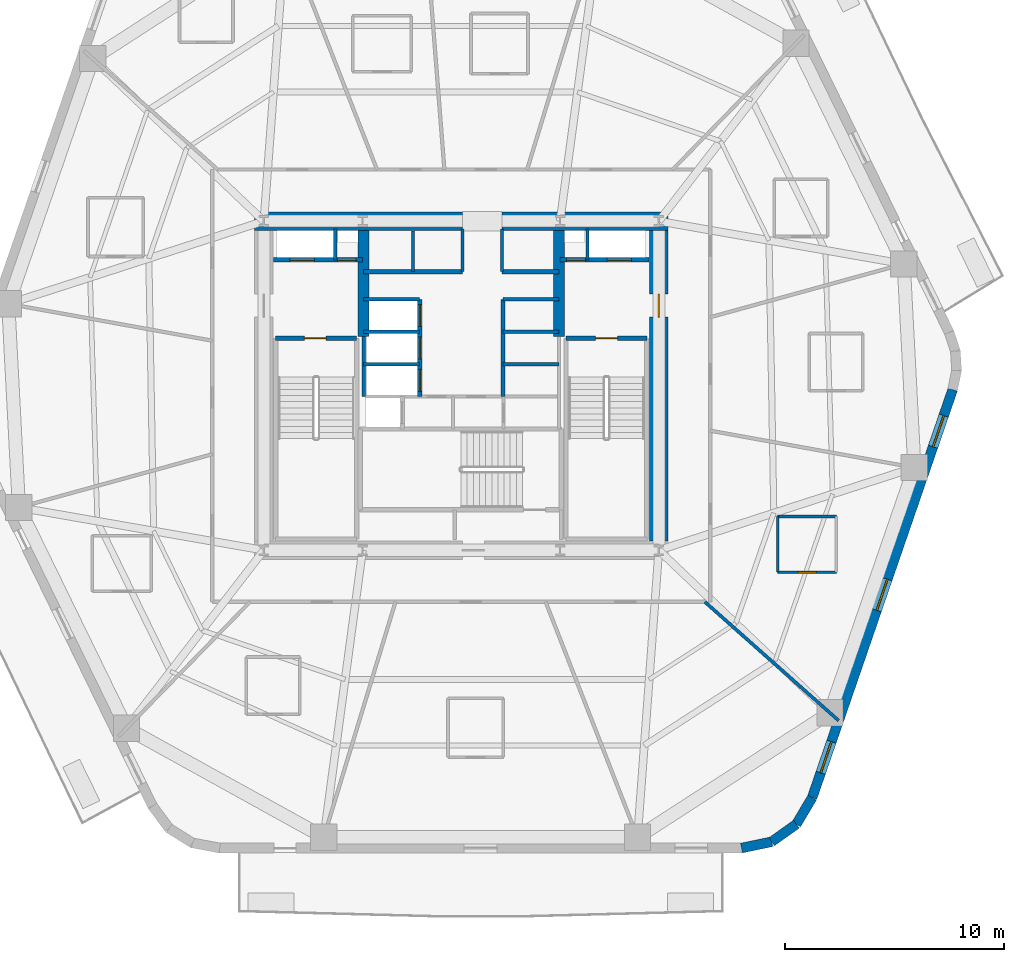
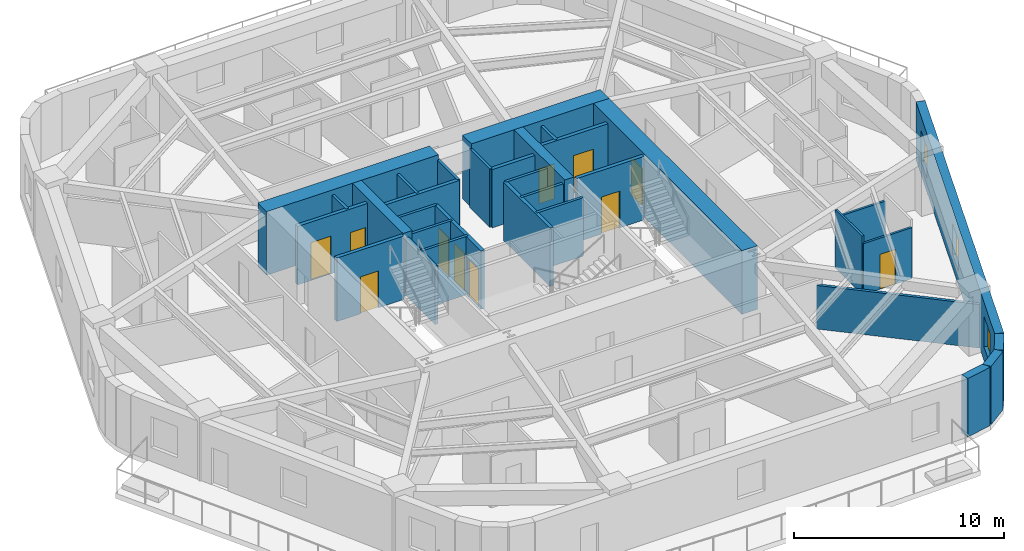
# One storey, part 4 of 9: 33 walls, 11 doors, 3 windows, 14 openings.
"""IFC4 building model written with IfcOpenShell, lengths in metres."""

from ifc_helpers import new_model, si_unit, direction, frame, frame_2d, origin, place, context, subcontext, project, spatial, rectangle, extrude, material, layer, layer_set, type_object, element, fill, save


model = new_model("IFC4")

# Units and contexts
model_context = context("Model", 3, precision=1e-05, world=origin(), true_north=direction((0.0, 1.0)))
body_context = subcontext(model_context, "Body", "Model", "MODEL_VIEW")
ifc_project = project(units=[si_unit("LENGTHUNIT", "METRE"), si_unit("AREAUNIT", "SQUARE_METRE"), si_unit("VOLUMEUNIT", "CUBIC_METRE"), si_unit("PLANEANGLEUNIT", "RADIAN"), si_unit("MASSUNIT", "GRAM", prefix="KILO")], contexts=[model_context])

# Site, building, storey
site_placement = place(None, origin())
site = spatial("IfcSite", under=ifc_project, at=site_placement, CompositionType="ELEMENT")
building_placement = place(site_placement, origin())
building = spatial("IfcBuilding", under=site, at=building_placement, Name="Kilnhurst Terrace Hotel", CompositionType="ELEMENT")
storey_placement = place(building_placement, frame((0.0, 0.0, 128.39990234375)))
storey = spatial("IfcBuildingStorey", under=building, at=storey_placement, Name="L31", CompositionType="ELEMENT", Elevation=128.39990234375)

# Walls
ifc_material_1 = material(Name="Precast concrete C40/50", Category="concrete")
ifc_layer_1 = layer(ifc_material_1, 0.449951171875, Name="Precast concrete C40/50")
ifc_layer_set_1 = layer_set([ifc_layer_1], Name="Precast concrete C40/50")
wall_type_1 = type_object("IfcWallType", Name="WL-BRK-450", PredefinedType="SOLIDWALL", material=ifc_layer_set_1)
wall_1_placement = place(storey_placement, frame((12.7705078125, -21.074951171875, 0.0), z_axis=(0.0, 0.0, 1.0), x_axis=(0.97874281988, 0.205091424819, 0.0)))
element("IfcWall", 1, at=wall_1_placement, inside=storey, type_object=wall_type_1, Name="L31 Rounded Corner Brick Wall C2.1", PredefinedType="SOLIDWALL", context=body_context, shape_type="SweptSolid", body=[
    extrude(rectangle(XDim=1.40576171875, YDim=0.449951171875, at=frame_2d((0.702880859375, 0.0))), origin(), (0.0, 0.0, 1.0), 3.400146484375),
])
wall_2_placement = place(storey_placement, frame((14.146484375, -20.78662109375, 0.0), z_axis=(0.0, 0.0, 1.0), x_axis=(0.814162929117, 0.580636482536, 0.0)))
element("IfcWall", 2, at=wall_2_placement, inside=storey, type_object=wall_type_1, Name="L31 Rounded Corner Brick Wall C2.2", PredefinedType="SOLIDWALL", context=body_context, shape_type="SweptSolid", body=[
    extrude(rectangle(XDim=1.382080078125, YDim=0.449951171875, at=frame_2d((0.69091796875, 0.0))), origin(), (0.0, 0.0, 1.0), 3.400146484375),
])
wall_3_placement = place(storey_placement, frame((15.271728515625, -19.984130859375, 0.0), z_axis=(0.0, 0.0, 1.0), x_axis=(0.512579347361, 0.858639862025, 0.0)))
element("IfcWall", 3, at=wall_3_placement, inside=storey, type_object=wall_type_1, Name="L31 Rounded Corner Brick Wall C2.3", PredefinedType="SOLIDWALL", context=body_context, shape_type="SweptSolid", body=[
    extrude(rectangle(XDim=1.406005859375, YDim=0.449951171875, at=frame_2d((0.703125, 0.0))), origin(), (0.0, 0.0, 1.0), 3.400146484375),
])

# Wall, openings, windows
wall_4_placement = place(storey_placement, frame((15.992431640625, -18.77685546875, 0.0), z_axis=(0.0, 0.0, 1.0), x_axis=(0.325606988926, 0.945505202927, 0.0)))
wall_4 = element("IfcWall", 4, at=wall_4_placement, inside=storey, type_object=wall_type_1, Name="L31 Exterior Brick Facade Wall F2", PredefinedType="SOLIDWALL", context=body_context, shape_type="SweptSolid", body=[
    extrude(rectangle(XDim=19.66943359375, YDim=0.449951171875, at=frame_2d((9.834716796875, 0.0))), origin(), (0.0, 0.0, 1.0), 3.400146484375),
])
opening_1_placement = place(wall_4_placement, frame((1.197021484375, 0.0, 0.800048828125)))
opening_1 = element("IfcOpeningElement", 5, at=opening_1_placement, cuts=wall_4, Name="Opening W-02", PredefinedType="OPENING", context=body_context, shape_type="SweptSolid", body=[
    extrude(rectangle(XDim=1.5, YDim=1.800048828125, at=frame_2d((0.75, 0.89990234375))), frame((0.0, 0.23486328125, 0.0), z_axis=(0.0, -1.0, 0.0), x_axis=(1.0, 0.0, 0.0)), (0.0, 0.0, 1.0), 0.469970703125),
])
opening_2_placement = place(wall_4_placement, frame((9.030029296875, 0.0, 0.800048828125)))
opening_2 = element("IfcOpeningElement", 6, at=opening_2_placement, cuts=wall_4, Name="Opening W-02", PredefinedType="OPENING", context=body_context, shape_type="SweptSolid", body=[
    extrude(rectangle(XDim=1.5, YDim=1.800048828125, at=frame_2d((0.75, 0.89990234375))), frame((0.0, 0.23486328125, 0.0), z_axis=(0.0, -1.0, 0.0), x_axis=(1.0, 0.0, 0.0)), (0.0, 0.0, 1.0), 0.469970703125),
])
opening_3_placement = place(wall_4_placement, frame((16.91796875, 0.0, 0.800048828125)))
opening_3 = element("IfcOpeningElement", 7, at=opening_3_placement, cuts=wall_4, Name="Opening W-02", PredefinedType="OPENING", context=body_context, shape_type="SweptSolid", body=[
    extrude(rectangle(XDim=1.5, YDim=1.800048828125, at=frame_2d((0.75, 0.89990234375))), frame((0.0, 0.23486328125, 0.0), z_axis=(0.0, -1.0, 0.0), x_axis=(1.0, 0.0, 0.0)), (0.0, 0.0, 1.0), 0.469970703125),
])
ifc_material_2 = material(Name="Thermally Broken Bronze Aluminium Alloy 6063-T6 and Low-E Glass", Category="aluminium")
window_type = type_object("IfcWindowType", Name="WIN-1500X1800", PartitioningType="SINGLE_PANEL", PredefinedType="WINDOW", material=ifc_material_2)
window_1_placement = place(opening_1_placement, origin())
window_1 = element("IfcWindow", 8, at=window_1_placement, inside=storey, type_object=window_type, Name="L31 Deep-Set Masonry Window F2.1", OverallHeight=1.800048828125, OverallWidth=1.5, PartitioningType="SINGLE_PANEL", PredefinedType="WINDOW", context=body_context, shape_type="SweptSolid", body=[
    extrude(rectangle(XDim=1.5, YDim=1.800048828125, at=frame_2d((0.75, 0.89990234375))), frame((0.0, 0.030029296875, 0.0), z_axis=(0.0, -1.0, 0.0), x_axis=(1.0, 0.0, 0.0)), (0.0, 0.0, 1.0), 0.06005859375),
])
fill(opening_1, window_1)
window_2_placement = place(opening_2_placement, origin())
window_2 = element("IfcWindow", 9, at=window_2_placement, inside=storey, type_object=window_type, Name="L31 Deep-Set Masonry Window F2.2", OverallHeight=1.800048828125, OverallWidth=1.5, PartitioningType="SINGLE_PANEL", PredefinedType="WINDOW", context=body_context, shape_type="SweptSolid", body=[
    extrude(rectangle(XDim=1.5, YDim=1.800048828125, at=frame_2d((0.75, 0.89990234375))), frame((0.0, 0.030029296875, 0.0), z_axis=(0.0, -1.0, 0.0), x_axis=(1.0, 0.0, 0.0)), (0.0, 0.0, 1.0), 0.06005859375),
])
fill(opening_2, window_2)
window_3_placement = place(opening_3_placement, origin())
window_3 = element("IfcWindow", 10, at=window_3_placement, inside=storey, type_object=window_type, Name="L31 Deep-Set Masonry Window F2.3", OverallHeight=1.800048828125, OverallWidth=1.5, PartitioningType="SINGLE_PANEL", PredefinedType="WINDOW", context=body_context, shape_type="SweptSolid", body=[
    extrude(rectangle(XDim=1.5, YDim=1.800048828125, at=frame_2d((0.75, 0.89990234375))), frame((0.0, 0.030029296875, 0.0), z_axis=(0.0, -1.0, 0.0), x_axis=(1.0, 0.0, 0.0)), (0.0, 0.0, 1.0), 0.06005859375),
])
fill(opening_3, window_3)

# Walls
ifc_material_3 = material(Name="Concrete C80/95", Category="concrete")
ifc_layer_2 = layer(ifc_material_3, 0.85009765625, Name="Concrete C80/95")
ifc_layer_set_2 = layer_set([ifc_layer_2], Name="Concrete C80/95")
wall_type_2 = type_object("IfcWallType", Name="WL-CORE-850", PredefinedType="SHEAR", material=ifc_layer_set_2)
wall_5_placement = place(storey_placement, frame((-9.425048828125, 7.5, 0.0), z_axis=(0.0, 0.0, 1.0), x_axis=(1.0, 0.0, 0.0)))
element("IfcWall", 11, at=wall_5_placement, inside=storey, type_object=wall_type_2, Name="L31 Core North West Shear Wall", PredefinedType="SHEAR", context=body_context, shape_type="SweptSolid", body=[
    extrude(rectangle(XDim=9.47509765625, YDim=0.85009765625, at=frame_2d((4.737548828125, 0.0))), origin(), (0.0, 0.0, 1.0), 3.7001953125),
])
wall_6_placement = place(storey_placement, frame((1.85009765625, 7.5, 0.0), z_axis=(0.0, 0.0, 1.0), x_axis=(1.0, 0.0, 0.0)))
element("IfcWall", 12, at=wall_6_placement, inside=storey, type_object=wall_type_2, Name="L31 Core North East Shear Wall", PredefinedType="SHEAR", context=body_context, shape_type="SweptSolid", body=[
    extrude(rectangle(XDim=7.574951171875, YDim=0.85009765625, at=frame_2d((3.78759765625, 0.0))), origin(), (0.0, 0.0, 1.0), 3.7001953125),
])

# Wall, opening, door
wall_7_placement = place(storey_placement, frame((9.0, -7.074951171875, 0.0), z_axis=(0.0, 0.0, 1.0), x_axis=(0.0, 1.0, 0.0)))
wall_7 = element("IfcWall", 13, at=wall_7_placement, inside=storey, type_object=wall_type_2, Name="L31 Core East Shear Wall", PredefinedType="SHEAR", context=body_context, shape_type="SweptSolid", body=[
    extrude(rectangle(XDim=14.14990234375, YDim=0.85009765625, at=frame_2d((7.074951171875, 0.0))), origin(), (0.0, 0.0, 1.0), 3.7001953125),
])
opening_4_placement = place(wall_7_placement, frame((10.199951171875, 0.0, 0.0)))
opening_4 = element("IfcOpeningElement", 14, at=opening_4_placement, cuts=wall_7, Name="Opening D-90A", PredefinedType="OPENING", context=body_context, shape_type="SweptSolid", body=[
    extrude(rectangle(XDim=1.050048828125, YDim=2.14990234375, at=frame_2d((0.52490234375, 1.074951171875))), frame((0.0, 0.43505859375, 0.0), z_axis=(0.0, -1.0, 0.0), x_axis=(1.0, 0.0, 0.0)), (0.0, 0.0, 1.0), 0.8701171875),
])
ifc_material_4 = material(Name="Painted Hollow Metal Steel ASTM A36 Fire Door", Category="steel")
door_type_1 = type_object("IfcDoorType", Name="DR-FD90-1050", OperationType="NOTDEFINED", PredefinedType="DOOR", material=ifc_material_4)
door_1_placement = place(opening_4_placement, origin())
door_1 = element("IfcDoor", 15, at=door_1_placement, inside=storey, type_object=door_type_1, Name="L31 East Firefighting Lobby Door", OperationType="SINGLE_SWING_LEFT", OverallHeight=2.14990234375, OverallWidth=1.050048828125, PredefinedType="DOOR", context=body_context, shape_type="SweptSolid", body=[
    extrude(rectangle(XDim=1.050048828125, YDim=2.14990234375, at=frame_2d((0.52490234375, 1.074951171875))), frame((0.0, 0.02490234375, 0.0), z_axis=(0.0, -1.0, 0.0), x_axis=(1.0, 0.0, 0.0)), (0.0, 0.0, 1.0), 0.050048828125),
])
fill(opening_4, door_1)

# Walls
ifc_material_5 = material(Name="Concrete C60/75", Category="concrete")
ifc_layer_3 = layer(ifc_material_5, 0.5, Name="Concrete C60/75")
ifc_layer_set_3 = layer_set([ifc_layer_3], Name="Concrete C60/75")
wall_type_3 = type_object("IfcWallType", Name="WL-CORE-WEB-500", PredefinedType="SHEAR", material=ifc_layer_set_3)
for number, where, z_axis, x_axis, name in (
    (16, (-4.449951171875, 2.25, 0.0), (0.0, 0.0, 1.0), (0.0, 1.0, 0.0), "L31 Core Internal West Shear Web"),
    (17, (4.449951171875, 2.25, 0.0), (0.0, 0.0, 1.0), (0.0, 1.0, 0.0), "L31 Core Internal East Shear Web"),
):
    element("IfcWall", number, at=place(storey_placement, frame(where, z_axis=z_axis, x_axis=x_axis)), inside=storey, type_object=wall_type_3, Name=name, PredefinedType="SHEAR", context=body_context, shape_type="SweptSolid", body=[
        extrude(rectangle(XDim=4.824951171875, YDim=0.5, at=frame_2d((2.41259765625, 0.0))), origin(), (0.0, 0.0, 1.0), 3.7001953125),
    ])
ifc_material_6 = material(Name="STC-58 Acoustic Twin-Frame Guestroom Demising Partition")
ifc_layer_4 = layer(ifc_material_6, 0.14990234375, Name="STC-58 Acoustic Twin-Frame Guestroom Demising Partition")
ifc_layer_set_4 = layer_set([ifc_layer_4], Name="STC-58 Acoustic Twin-Frame Guestroom Demising Partition")
wall_type_4 = type_object("IfcWallType", Name="WL-DEM-150", PredefinedType="PARTITIONING", material=ifc_layer_set_4)
wall_8_placement = place(storey_placement, frame((11.097900390625, -9.85009765625, 0.0), z_axis=(0.0, 0.0, 1.0), x_axis=(0.747904295103, -0.663806572253, 0.0)))
element("IfcWall", 18, at=wall_8_placement, inside=storey, type_object=wall_type_4, Name="L31 Interior Wall WL-L31-DEM-COL11-12-1", PredefinedType="PARTITIONING", context=body_context, shape_type="SweptSolid", body=[
    extrude(rectangle(XDim=8.160400390625, YDim=0.14990234375, at=frame_2d((4.080078125, 0.0))), origin(), (0.0, 0.0, 1.0), 2.5400390625),
])

# Wall, opening, door
ifc_material_7 = material(Name="120 mm Moisture-Resistant Tile-Backed Bathroom Partition")
ifc_layer_5 = layer(ifc_material_7, 0.1201171875, Name="120 mm Moisture-Resistant Tile-Backed Bathroom Partition")
ifc_layer_set_5 = layer_set([ifc_layer_5], Name="120 mm Moisture-Resistant Tile-Backed Bathroom Partition")
wall_type_5 = type_object("IfcWallType", Name="WL-PART-120", PredefinedType="PARTITIONING", material=ifc_layer_set_5)
wall_9_placement = place(storey_placement, frame((14.4140625, -8.5, 0.0), z_axis=(0.0, 0.0, 1.0), x_axis=(1.0, 0.0, 0.0)))
wall_9 = element("IfcWall", 19, at=wall_9_placement, inside=storey, type_object=wall_type_5, Name="L31 Interior Wall WL-L31-BTH-12-1", PredefinedType="PARTITIONING", context=body_context, shape_type="SweptSolid", body=[
    extrude(rectangle(XDim=2.679931640625, YDim=0.1201171875, at=frame_2d((1.33984375, 0.0))), origin(), (0.0, 0.0, 1.0), 2.972412109375),
])
opening_5_placement = place(wall_9_placement, frame((0.9150390625, 0.0, 0.0)))
opening_5 = element("IfcOpeningElement", 20, at=opening_5_placement, cuts=wall_9, Name="Opening D-08A", PredefinedType="OPENING", context=body_context, shape_type="SweptSolid", body=[
    extrude(rectangle(XDim=0.85009765625, YDim=2.030029296875, at=frame_2d((0.425048828125, 1.01513671875))), frame((0.0, 0.070068359375, 0.0), z_axis=(0.0, -1.0, 0.0), x_axis=(1.0, 0.0, 0.0)), (0.0, 0.0, 1.0), 0.14013671875),
])
ifc_material_8 = material(Name="Moisture-Resistant Lacquered En-suite Bathroom Door")
door_type_2 = type_object("IfcDoorType", Name="DR-INT-850", OperationType="NOTDEFINED", PredefinedType="DOOR", material=ifc_material_8)
door_2_placement = place(opening_5_placement, origin())
door_2 = element("IfcDoor", 21, at=door_2_placement, inside=storey, type_object=door_type_2, Name="L31 En-suite Bathroom Door 12", OperationType="SINGLE_SWING_LEFT", OverallHeight=2.030029296875, OverallWidth=0.85009765625, PredefinedType="DOOR", context=body_context, shape_type="SweptSolid", body=[
    extrude(rectangle(XDim=0.85009765625, YDim=2.030029296875, at=frame_2d((0.425048828125, 1.01513671875))), frame((0.0, 0.02490234375, 0.0), z_axis=(0.0, -1.0, 0.0), x_axis=(1.0, 0.0, 0.0)), (0.0, 0.0, 1.0), 0.050048828125),
])
fill(opening_5, door_2)

# Walls
wall_10_placement = place(storey_placement, frame((17.093994140625, -5.9599609375, 0.0), z_axis=(0.0, 0.0, 1.0), x_axis=(-1.0, 0.0, 0.0)))
element("IfcWall", 22, at=wall_10_placement, inside=storey, type_object=wall_type_5, Name="L31 Interior Wall WL-L31-BTH-12-3", PredefinedType="PARTITIONING", context=body_context, shape_type="SweptSolid", body=[
    extrude(rectangle(XDim=2.679931640625, YDim=0.1201171875, at=frame_2d((1.33984375, 0.0))), origin(), (0.0, 0.0, 1.0), 2.972412109375),
])
wall_11_placement = place(storey_placement, frame((14.4140625, -5.9599609375, 0.0), z_axis=(0.0, 0.0, 1.0), x_axis=(0.0, -1.0, 0.0)))
element("IfcWall", 23, at=wall_11_placement, inside=storey, type_object=wall_type_5, Name="L31 Interior Wall WL-L31-BTH-12-4", PredefinedType="PARTITIONING", context=body_context, shape_type="SweptSolid", body=[
    extrude(rectangle(XDim=2.5400390625, YDim=0.1201171875, at=frame_2d((1.27001953125, 0.0))), origin(), (0.0, 0.0, 1.0), 3.400146484375),
])
ifc_material_9 = material(Name="Fire-Rated Gypsum Shaftliner Assembly")
ifc_layer_6 = layer(ifc_material_9, 0.14990234375, Name="Fire-Rated Gypsum Shaftliner Assembly")
ifc_layer_set_6 = layer_set([ifc_layer_6], Name="Fire-Rated Gypsum Shaftliner Assembly")
wall_type_6 = type_object("IfcWallType", Name="WL-SHAFT-150", PredefinedType="PARTITIONING", material=ifc_layer_set_6)
for number, where, z_axis, x_axis, name in (
    (24, (-5.75, 5.739990234375, 0.0), (0.0, 0.0, 1.0), (0.0, 1.0, 0.0), "L31 Interior Wall WL-L31-RIS1-DIV"),
    (25, (5.75, 5.739990234375, 0.0), (0.0, 0.0, 1.0), (0.0, 1.0, 0.0), "L31 Interior Wall WL-L31-RIS2-DIV"),
):
    element("IfcWall", number, at=place(storey_placement, frame(where, z_axis=z_axis, x_axis=x_axis)), inside=storey, type_object=wall_type_6, Name=name, PredefinedType="PARTITIONING", context=body_context, shape_type="SweptSolid", body=[
        extrude(rectangle(XDim=1.409912109375, YDim=0.14990234375, at=frame_2d((0.705078125, 0.0))), origin(), (0.0, 0.0, 1.0), 3.400146484375),
    ])
wall_12_placement = place(storey_placement, frame((-2.199951171875, 5.199951171875, 0.0), z_axis=(0.0, 0.0, 1.0), x_axis=(0.0, 1.0, 0.0)))
element("IfcWall", 26, at=wall_12_placement, inside=storey, type_object=wall_type_6, Name="L31 Interior Wall WL-L31-HR-DIV1", PredefinedType="PARTITIONING", context=body_context, shape_type="SweptSolid", body=[
    extrude(rectangle(XDim=1.85009765625, YDim=0.14990234375, at=frame_2d((0.925048828125, 0.0))), origin(), (0.0, 0.0, 1.0), 3.400146484375),
])
for number, where, z_axis, x_axis, name in (
    (27, (0.050048828125, 5.199951171875, 0.0), (0.0, 0.0, 1.0), (0.0, 1.0, 0.0), "L31 Interior Wall WL-L31-HR-PORTAL-W"),
    (28, (1.85009765625, 5.199951171875, 0.0), (0.0, 0.0, 1.0), (0.0, 1.0, 0.0), "L31 Interior Wall WL-L31-HR-PORTAL-E"),
):
    element("IfcWall", number, at=place(storey_placement, frame(where, z_axis=z_axis, x_axis=x_axis)), inside=storey, type_object=wall_type_6, Name=name, PredefinedType="PARTITIONING", context=body_context, shape_type="SweptSolid", body=[
        extrude(rectangle(XDim=1.949951171875, YDim=0.14990234375, at=frame_2d((0.97509765625, 0.0))), origin(), (0.0, 0.0, 1.0), 3.400146484375),
    ])
wall_13_placement = place(storey_placement, frame((-4.449951171875, -0.5, 0.0), z_axis=(0.0, 0.0, 1.0), x_axis=(0.0, 1.0, 0.0)))
element("IfcWall", 29, at=wall_13_placement, inside=storey, type_object=wall_type_6, Name="L31 Interior Wall WL-L31-XLOB-W", PredefinedType="PARTITIONING", context=body_context, shape_type="SweptSolid", body=[
    extrude(rectangle(XDim=2.75, YDim=0.14990234375, at=frame_2d((1.375, 0.0))), origin(), (0.0, 0.0, 1.0), 3.400146484375),
])
for number, where, z_axis, x_axis, name in (
    (30, (-4.449951171875, 3.93994140625, 0.0), (0.0, 0.0, 1.0), (1.0, 0.0, 0.0), "L31 Interior Wall WL-L31-LR-NORTH"),
    (31, (-4.449951171875, 0.97998046875, 0.0), (0.0, 0.0, 1.0), (1.0, 0.0, 0.0), "L31 Interior Wall WL-L31-LR-D1"),
    (32, (-4.449951171875, 2.4599609375, 0.0), (0.0, 0.0, 1.0), (1.0, 0.0, 0.0), "L31 Interior Wall WL-L31-LR-D2"),
    (33, (1.89990234375, 3.93994140625, 0.0), (0.0, 0.0, 1.0), (1.0, 0.0, 0.0), "L31 Interior Wall WL-L31-MR-NORTH"),
    (34, (1.89990234375, 0.97998046875, 0.0), (0.0, 0.0, 1.0), (1.0, 0.0, 0.0), "L31 Interior Wall WL-L31-MR-D1"),
    (35, (1.89990234375, 2.4599609375, 0.0), (0.0, 0.0, 1.0), (1.0, 0.0, 0.0), "L31 Interior Wall WL-L31-MR-D2"),
):
    element("IfcWall", number, at=place(storey_placement, frame(where, z_axis=z_axis, x_axis=x_axis)), inside=storey, type_object=wall_type_6, Name=name, PredefinedType="PARTITIONING", context=body_context, shape_type="SweptSolid", body=[
        extrude(rectangle(XDim=2.550048828125, YDim=0.14990234375, at=frame_2d((1.27490234375, 0.0))), origin(), (0.0, 0.0, 1.0), 3.400146484375),
    ])

# Wall, openings, doors
ifc_material_10 = material(Name="Autoclaved Aerated Concrete C30/37 and Gypsum Shaft Assembly", Category="concrete")
ifc_layer_7 = layer(ifc_material_10, 0.199951171875, Name="Autoclaved Aerated Concrete C30/37 and Gypsum Shaft Assembly")
ifc_layer_set_7 = layer_set([ifc_layer_7], Name="Autoclaved Aerated Concrete C30/37 and Gypsum Shaft Assembly")
wall_type_7 = type_object("IfcWallType", Name="WL-SHAFT-200", PredefinedType="PARTITIONING", material=ifc_layer_set_7)
wall_14_placement = place(storey_placement, frame((-8.550048828125, 5.739990234375, 0.0), z_axis=(0.0, 0.0, 1.0), x_axis=(1.0, 0.0, 0.0)))
wall_14 = element("IfcWall", 36, at=wall_14_placement, inside=storey, type_object=wall_type_7, Name="L31 Interior Wall WL-L31-FSAE1-S", PredefinedType="PARTITIONING", context=body_context, shape_type="SweptSolid", body=[
    extrude(rectangle(XDim=4.050048828125, YDim=0.199951171875, at=frame_2d((2.02490234375, 0.0))), origin(), (0.0, 0.0, 1.0), 3.400146484375),
])
opening_6_placement = place(wall_14_placement, frame((0.75, 0.0, 0.0)))
opening_6 = element("IfcOpeningElement", 37, at=opening_6_placement, cuts=wall_14, Name="Opening LD-F1", PredefinedType="OPENING", context=body_context, shape_type="SweptSolid", body=[
    extrude(rectangle(XDim=1.10009765625, YDim=2.199951171875, at=frame_2d((0.550048828125, 1.10009765625))), frame((0.0, 0.10986328125, 0.0), z_axis=(0.0, -1.0, 0.0), x_axis=(1.0, 0.0, 0.0)), (0.0, 0.0, 1.0), 0.219970703125),
])
opening_7_placement = place(wall_14_placement, frame((2.89990234375, 0.0, 0.0)))
opening_7 = element("IfcOpeningElement", 38, at=opening_7_placement, cuts=wall_14, Name="Opening D-60D", PredefinedType="OPENING", context=body_context, shape_type="SweptSolid", body=[
    extrude(rectangle(XDim=0.85009765625, YDim=2.030029296875, at=frame_2d((0.425048828125, 1.01513671875))), frame((0.0, 0.10986328125, 0.0), z_axis=(0.0, -1.0, 0.0), x_axis=(1.0, 0.0, 0.0)), (0.0, 0.0, 1.0), 0.219970703125),
])
ifc_material_11 = material(Name="Painted Hollow Metal Steel ASTM A36 Riser Door", Category="steel")
door_type_3 = type_object("IfcDoorType", Name="DR-FD60-850", OperationType="NOTDEFINED", PredefinedType="DOOR", material=ifc_material_11)
door_3_placement = place(opening_7_placement, origin())
door_3 = element("IfcDoor", 39, at=door_3_placement, inside=storey, type_object=door_type_3, Name="L31 Electrical Riser Door", OperationType="SINGLE_SWING_LEFT", OverallHeight=2.030029296875, OverallWidth=0.85009765625, PredefinedType="DOOR", context=body_context, shape_type="SweptSolid", body=[
    extrude(rectangle(XDim=0.85009765625, YDim=2.030029296875, at=frame_2d((0.425048828125, 1.01513671875))), frame((0.0, 0.02490234375, 0.0), z_axis=(0.0, -1.0, 0.0), x_axis=(1.0, 0.0, 0.0)), (0.0, 0.0, 1.0), 0.050048828125),
])
fill(opening_7, door_3)
ifc_material_12 = material(Name="Bronze-Anodized Stainless Steel AISI 316L Sliding Door", Category="steel")
door_type_4 = type_object("IfcDoorType", Name="DR-LIFT-1100", OperationType="NOTDEFINED", PredefinedType="DOOR", material=ifc_material_12)
door_4_placement = place(opening_6_placement, origin())
door_4 = element("IfcDoor", 40, at=door_4_placement, inside=storey, type_object=door_type_4, Name="L31 FSAE-1 Landing Door", OperationType="SLIDING_TO_LEFT", OverallHeight=2.199951171875, OverallWidth=1.10009765625, PredefinedType="DOOR", context=body_context, shape_type="SweptSolid", body=[
    extrude(rectangle(XDim=1.10009765625, YDim=2.199951171875, at=frame_2d((0.550048828125, 1.10009765625))), frame((0.0, 0.02490234375, 0.0), z_axis=(0.0, -1.0, 0.0), x_axis=(1.0, 0.0, 0.0)), (0.0, 0.0, 1.0), 0.050048828125),
])
fill(opening_6, door_4)

wall_15_placement = place(storey_placement, frame((4.5, 5.739990234375, 0.0), z_axis=(0.0, 0.0, 1.0), x_axis=(1.0, 0.0, 0.0)))
wall_15 = element("IfcWall", 41, at=wall_15_placement, inside=storey, type_object=wall_type_7, Name="L31 Interior Wall WL-L31-FSAE2-S", PredefinedType="PARTITIONING", context=body_context, shape_type="SweptSolid", body=[
    extrude(rectangle(XDim=4.050048828125, YDim=0.199951171875, at=frame_2d((2.02490234375, 0.0))), origin(), (0.0, 0.0, 1.0), 3.400146484375),
])
opening_8_placement = place(wall_15_placement, frame((0.300048828125, 0.0, 0.0)))
opening_8 = element("IfcOpeningElement", 42, at=opening_8_placement, cuts=wall_15, Name="Opening D-60D", PredefinedType="OPENING", context=body_context, shape_type="SweptSolid", body=[
    extrude(rectangle(XDim=0.85009765625, YDim=2.030029296875, at=frame_2d((0.425048828125, 1.01513671875))), frame((0.0, 0.10986328125, 0.0), z_axis=(0.0, -1.0, 0.0), x_axis=(1.0, 0.0, 0.0)), (0.0, 0.0, 1.0), 0.219970703125),
])
opening_9_placement = place(wall_15_placement, frame((2.14990234375, 0.0, 0.0)))
opening_9 = element("IfcOpeningElement", 43, at=opening_9_placement, cuts=wall_15, Name="Opening LD-F2", PredefinedType="OPENING", context=body_context, shape_type="SweptSolid", body=[
    extrude(rectangle(XDim=1.10009765625, YDim=2.199951171875, at=frame_2d((0.550048828125, 1.10009765625))), frame((0.0, 0.10986328125, 0.0), z_axis=(0.0, -1.0, 0.0), x_axis=(1.0, 0.0, 0.0)), (0.0, 0.0, 1.0), 0.219970703125),
])
door_5_placement = place(opening_8_placement, origin())
door_5 = element("IfcDoor", 44, at=door_5_placement, inside=storey, type_object=door_type_3, Name="L31 Telecom Riser Door", OperationType="SINGLE_SWING_RIGHT", OverallHeight=2.030029296875, OverallWidth=0.85009765625, PredefinedType="DOOR", context=body_context, shape_type="SweptSolid", body=[
    extrude(rectangle(XDim=0.85009765625, YDim=2.030029296875, at=frame_2d((0.425048828125, 1.01513671875))), frame((0.0, 0.02490234375, 0.0), z_axis=(0.0, -1.0, 0.0), x_axis=(1.0, 0.0, 0.0)), (0.0, 0.0, 1.0), 0.050048828125),
])
fill(opening_8, door_5)
door_6_placement = place(opening_9_placement, origin())
door_6 = element("IfcDoor", 45, at=door_6_placement, inside=storey, type_object=door_type_4, Name="L31 FSAE-2 Landing Door", OperationType="SLIDING_TO_RIGHT", OverallHeight=2.199951171875, OverallWidth=1.10009765625, PredefinedType="DOOR", context=body_context, shape_type="SweptSolid", body=[
    extrude(rectangle(XDim=1.10009765625, YDim=2.199951171875, at=frame_2d((0.550048828125, 1.10009765625))), frame((0.0, 0.02490234375, 0.0), z_axis=(0.0, -1.0, 0.0), x_axis=(1.0, 0.0, 0.0)), (0.0, 0.0, 1.0), 0.050048828125),
])
fill(opening_9, door_6)

# Walls
wall_16_placement = place(storey_placement, frame((-4.449951171875, 5.199951171875, 0.0), z_axis=(0.0, 0.0, 1.0), x_axis=(1.0, 0.0, 0.0)))
element("IfcWall", 46, at=wall_16_placement, inside=storey, type_object=wall_type_7, Name="L31 Interior Wall WL-L31-HR-SW", PredefinedType="PARTITIONING", context=body_context, shape_type="SweptSolid", body=[
    extrude(rectangle(XDim=4.5, YDim=0.199951171875, at=frame_2d((2.25, 0.0))), origin(), (0.0, 0.0, 1.0), 3.400146484375),
])
wall_17_placement = place(storey_placement, frame((1.85009765625, 5.199951171875, 0.0), z_axis=(0.0, 0.0, 1.0), x_axis=(1.0, 0.0, 0.0)))
element("IfcWall", 47, at=wall_17_placement, inside=storey, type_object=wall_type_7, Name="L31 Interior Wall WL-L31-HR-SE", PredefinedType="PARTITIONING", context=body_context, shape_type="SweptSolid", body=[
    extrude(rectangle(XDim=2.599853515625, YDim=0.199951171875, at=frame_2d((1.2998046875, 0.0))), origin(), (0.0, 0.0, 1.0), 3.400146484375),
])

# Wall, openings, doors
wall_18_placement = place(storey_placement, frame((-1.89990234375, -0.5, 0.0), z_axis=(0.0, 0.0, 1.0), x_axis=(0.0, 1.0, 0.0)))
wall_18 = element("IfcWall", 48, at=wall_18_placement, inside=storey, type_object=wall_type_7, Name="L31 Interior Wall WL-L31-LR-FRONT", PredefinedType="PARTITIONING", context=body_context, shape_type="SweptSolid", body=[
    extrude(rectangle(XDim=4.43994140625, YDim=0.199951171875, at=frame_2d((2.219970703125, 0.0))), origin(), (0.0, 0.0, 1.0), 3.400146484375),
])
opening_10_placement = place(wall_18_placement, frame((0.239990234375, 0.0, 0.0)))
opening_10 = element("IfcOpeningElement", 49, at=opening_10_placement, cuts=wall_18, Name="Opening LD-LR", PredefinedType="OPENING", context=body_context, shape_type="SweptSolid", body=[
    extrude(rectangle(XDim=1.0, YDim=2.199951171875, at=frame_2d((0.5, 1.10009765625))), frame((0.0, 0.10986328125, 0.0), z_axis=(0.0, -1.0, 0.0), x_axis=(1.0, 0.0, 0.0)), (0.0, 0.0, 1.0), 0.219970703125),
])
opening_11_placement = place(wall_18_placement, frame((1.719970703125, 0.0, 0.0)))
opening_11 = element("IfcOpeningElement", 50, at=opening_11_placement, cuts=wall_18, Name="Opening LD-LR", PredefinedType="OPENING", context=body_context, shape_type="SweptSolid", body=[
    extrude(rectangle(XDim=1.0, YDim=2.199951171875, at=frame_2d((0.5, 1.10009765625))), frame((0.0, 0.10986328125, 0.0), z_axis=(0.0, -1.0, 0.0), x_axis=(1.0, 0.0, 0.0)), (0.0, 0.0, 1.0), 0.219970703125),
])
opening_12_placement = place(wall_18_placement, frame((3.199951171875, 0.0, 0.0)))
opening_12 = element("IfcOpeningElement", 51, at=opening_12_placement, cuts=wall_18, Name="Opening LD-LR", PredefinedType="OPENING", context=body_context, shape_type="SweptSolid", body=[
    extrude(rectangle(XDim=1.0, YDim=2.199951171875, at=frame_2d((0.5, 1.10009765625))), frame((0.0, 0.10986328125, 0.0), z_axis=(0.0, -1.0, 0.0), x_axis=(1.0, 0.0, 0.0)), (0.0, 0.0, 1.0), 0.219970703125),
])
door_type_5 = type_object("IfcDoorType", Name="DR-LIFT-1000", OperationType="NOTDEFINED", PredefinedType="DOOR", material=ifc_material_12)
door_7_placement = place(opening_10_placement, origin())
door_7 = element("IfcDoor", 52, at=door_7_placement, inside=storey, type_object=door_type_5, Name="L31 Low Rise Lift LR-1 Landing Door", OperationType="SLIDING_TO_LEFT", OverallHeight=2.199951171875, OverallWidth=1.0, PredefinedType="DOOR", context=body_context, shape_type="SweptSolid", body=[
    extrude(rectangle(XDim=1.0, YDim=2.199951171875, at=frame_2d((0.5, 1.10009765625))), frame((0.0, 0.02490234375, 0.0), z_axis=(0.0, -1.0, 0.0), x_axis=(1.0, 0.0, 0.0)), (0.0, 0.0, 1.0), 0.050048828125),
])
fill(opening_10, door_7)
door_8_placement = place(opening_11_placement, origin())
door_8 = element("IfcDoor", 53, at=door_8_placement, inside=storey, type_object=door_type_5, Name="L31 Low Rise Lift LR-2 Landing Door", OperationType="SLIDING_TO_LEFT", OverallHeight=2.199951171875, OverallWidth=1.0, PredefinedType="DOOR", context=body_context, shape_type="SweptSolid", body=[
    extrude(rectangle(XDim=1.0, YDim=2.199951171875, at=frame_2d((0.5, 1.10009765625))), frame((0.0, 0.02490234375, 0.0), z_axis=(0.0, -1.0, 0.0), x_axis=(1.0, 0.0, 0.0)), (0.0, 0.0, 1.0), 0.050048828125),
])
fill(opening_11, door_8)
door_9_placement = place(opening_12_placement, origin())
door_9 = element("IfcDoor", 54, at=door_9_placement, inside=storey, type_object=door_type_5, Name="L31 Low Rise Lift LR-3 Landing Door", OperationType="SLIDING_TO_LEFT", OverallHeight=2.199951171875, OverallWidth=1.0, PredefinedType="DOOR", context=body_context, shape_type="SweptSolid", body=[
    extrude(rectangle(XDim=1.0, YDim=2.199951171875, at=frame_2d((0.5, 1.10009765625))), frame((0.0, 0.02490234375, 0.0), z_axis=(0.0, -1.0, 0.0), x_axis=(1.0, 0.0, 0.0)), (0.0, 0.0, 1.0), 0.050048828125),
])
fill(opening_12, door_9)

# Wall
wall_19_placement = place(storey_placement, frame((1.89990234375, -0.5, 0.0), z_axis=(0.0, 0.0, 1.0), x_axis=(0.0, 1.0, 0.0)))
element("IfcWall", 55, at=wall_19_placement, inside=storey, type_object=wall_type_7, Name="L31 Interior Wall WL-L31-MR-FRONT", PredefinedType="PARTITIONING", context=body_context, shape_type="SweptSolid", body=[
    extrude(rectangle(XDim=4.43994140625, YDim=0.199951171875, at=frame_2d((2.219970703125, 0.0))), origin(), (0.0, 0.0, 1.0), 3.400146484375),
])

# Wall, opening, door
ifc_material_13 = material(Name="Concrete C50/60", Category="concrete")
ifc_layer_8 = layer(ifc_material_13, 0.199951171875, Name="Concrete C50/60")
ifc_layer_set_8 = layer_set([ifc_layer_8], Name="Concrete C50/60")
wall_type_8 = type_object("IfcWallType", Name="WL-STAIR-RC-200", PredefinedType="SHEAR", material=ifc_layer_set_8)
wall_20_placement = place(storey_placement, frame((-8.4580078125, 2.157958984375, 0.0), z_axis=(0.0, 0.0, 1.0), x_axis=(1.0, 0.0, 0.0)))
wall_20 = element("IfcWall", 56, at=wall_20_placement, inside=storey, type_object=wall_type_8, Name="L31 Structural Stair Shaft Wall WL-L31-ST1-N", PredefinedType="SHEAR", context=body_context, shape_type="SweptSolid", body=[
    extrude(rectangle(XDim=3.68603515625, YDim=0.199951171875, at=frame_2d((1.843017578125, 0.0))), origin(), (0.0, 0.0, 1.0), 3.7001953125),
])
opening_13_placement = place(wall_20_placement, frame((1.300048828125, 0.0, 0.0)))
opening_13 = element("IfcOpeningElement", 57, at=opening_13_placement, cuts=wall_20, Name="Opening D-90B", PredefinedType="OPENING", context=body_context, shape_type="SweptSolid", body=[
    extrude(rectangle(XDim=1.0, YDim=2.14990234375, at=frame_2d((0.5, 1.074951171875))), frame((0.0, 0.10986328125, 0.0), z_axis=(0.0, -1.0, 0.0), x_axis=(1.0, 0.0, 0.0)), (0.0, 0.0, 1.0), 0.219970703125),
])
door_type_6 = type_object("IfcDoorType", Name="DR-FD90-1000", OperationType="NOTDEFINED", PredefinedType="DOOR", material=ifc_material_4)
door_10_placement = place(opening_13_placement, origin())
door_10 = element("IfcDoor", 58, at=door_10_placement, inside=storey, type_object=door_type_6, Name="L31 Stair ST-1 Door", OperationType="SINGLE_SWING_LEFT", OverallHeight=2.14990234375, OverallWidth=1.0, PredefinedType="DOOR", context=body_context, shape_type="SweptSolid", body=[
    extrude(rectangle(XDim=1.0, YDim=2.14990234375, at=frame_2d((0.5, 1.074951171875))), frame((0.0, 0.02490234375, 0.0), z_axis=(0.0, -1.0, 0.0), x_axis=(1.0, 0.0, 0.0)), (0.0, 0.0, 1.0), 0.050048828125),
])
fill(opening_13, door_10)

wall_21_placement = place(storey_placement, frame((4.77197265625, 2.157958984375, 0.0), z_axis=(0.0, 0.0, 1.0), x_axis=(1.0, 0.0, 0.0)))
wall_21 = element("IfcWall", 59, at=wall_21_placement, inside=storey, type_object=wall_type_8, Name="L31 Structural Stair Shaft Wall WL-L31-ST2-N", PredefinedType="SHEAR", context=body_context, shape_type="SweptSolid", body=[
    extrude(rectangle(XDim=3.68603515625, YDim=0.199951171875, at=frame_2d((1.843017578125, 0.0))), origin(), (0.0, 0.0, 1.0), 3.7001953125),
])
opening_14_placement = place(wall_21_placement, frame((1.35009765625, 0.0, 0.0)))
opening_14 = element("IfcOpeningElement", 60, at=opening_14_placement, cuts=wall_21, Name="Opening D-90B", PredefinedType="OPENING", context=body_context, shape_type="SweptSolid", body=[
    extrude(rectangle(XDim=1.0, YDim=2.14990234375, at=frame_2d((0.5, 1.074951171875))), frame((0.0, 0.10986328125, 0.0), z_axis=(0.0, -1.0, 0.0), x_axis=(1.0, 0.0, 0.0)), (0.0, 0.0, 1.0), 0.219970703125),
])
door_11_placement = place(opening_14_placement, origin())
door_11 = element("IfcDoor", 61, at=door_11_placement, inside=storey, type_object=door_type_6, Name="L31 Stair ST-2 Door", OperationType="SINGLE_SWING_RIGHT", OverallHeight=2.14990234375, OverallWidth=1.0, PredefinedType="DOOR", context=body_context, shape_type="SweptSolid", body=[
    extrude(rectangle(XDim=1.0, YDim=2.14990234375, at=frame_2d((0.5, 1.074951171875))), frame((0.0, 0.02490234375, 0.0), z_axis=(0.0, -1.0, 0.0), x_axis=(1.0, 0.0, 0.0)), (0.0, 0.0, 1.0), 0.050048828125),
])
fill(opening_14, door_11)

save(model, "model.ifc")
